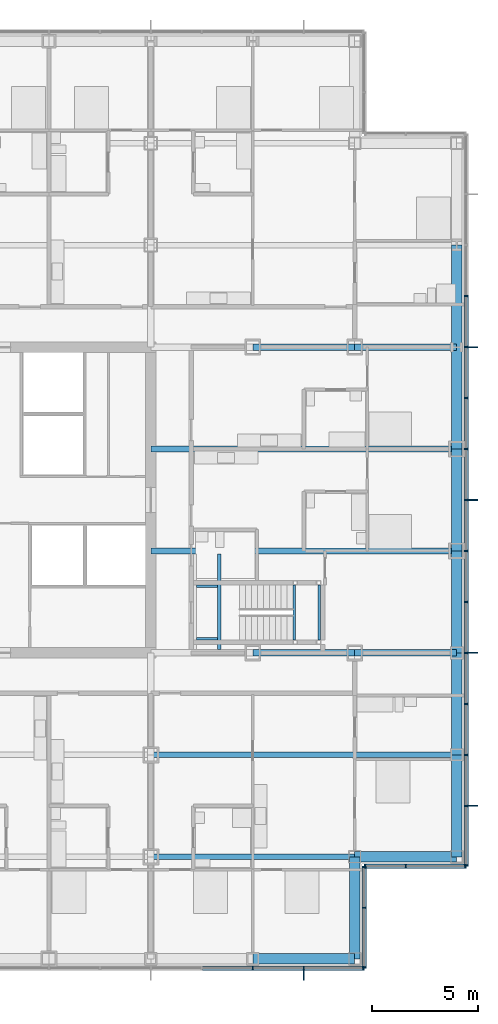
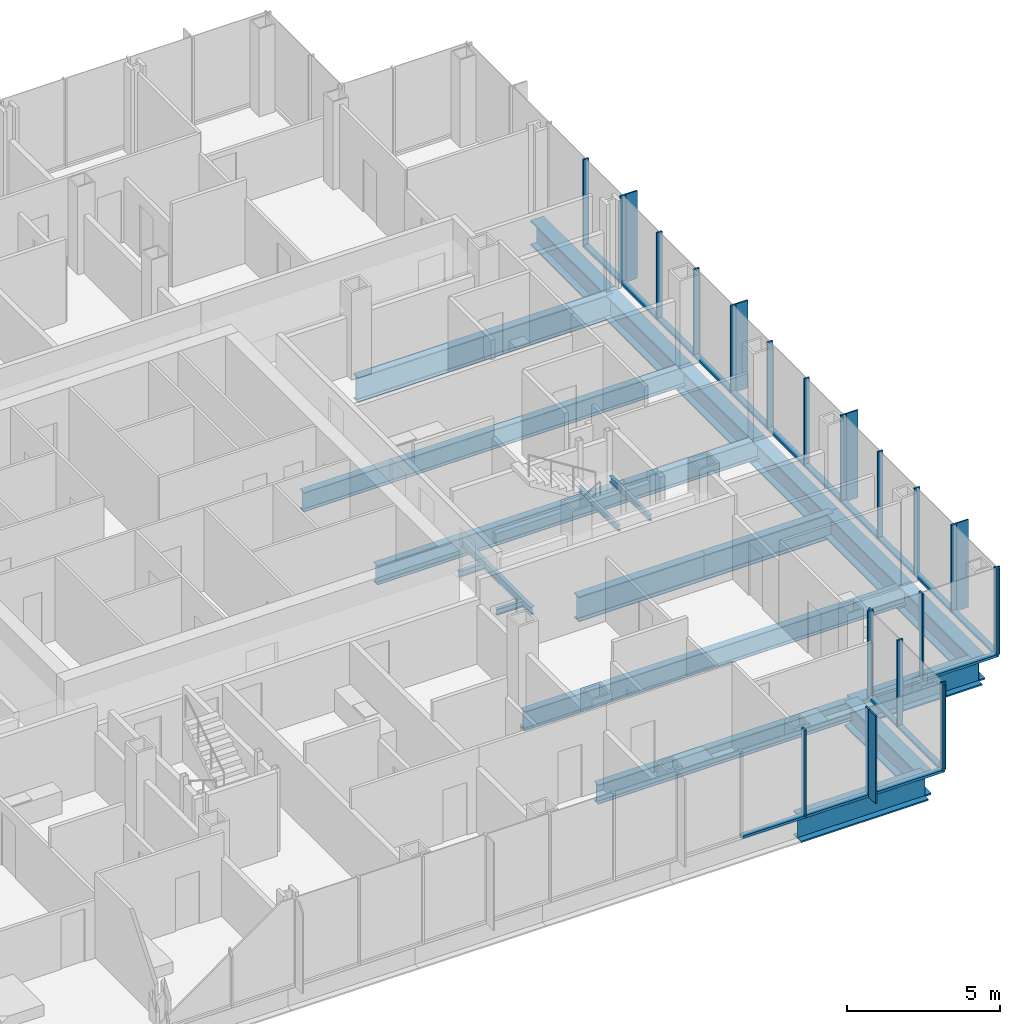
# One storey, part 9 of 21: 44 members, 22 beams, 4 elements without a shape of their own.
"""IFC4 building model written with IfcOpenShell, lengths in metres."""

from ifc_helpers import new_model, si_unit, direction, frame, origin, origin_2d, place, context, subcontext, project, spatial, rectangle, i_section, extrude, material, material_profile, profile_set, type_object, element, aggregate, save


model = new_model("IFC4")

# Units and contexts
model_context = context("Model", 3, precision=1e-05, world=origin(), true_north=direction((0.0, 1.0)))
body_context = subcontext(model_context, "Body", "Model", "MODEL_VIEW")
ifc_project = project(units=[si_unit("LENGTHUNIT", "METRE"), si_unit("AREAUNIT", "SQUARE_METRE"), si_unit("VOLUMEUNIT", "CUBIC_METRE"), si_unit("PLANEANGLEUNIT", "RADIAN"), si_unit("MASSUNIT", "GRAM", prefix="KILO")], contexts=[model_context])

# Site, building, storey
site_placement = place(None, origin())
site = spatial("IfcSite", under=ifc_project, at=site_placement, CompositionType="ELEMENT")
building_placement = place(site_placement, origin())
building = spatial("IfcBuilding", under=site, at=building_placement, Name="Kvirike Care Tower", CompositionType="ELEMENT")
storey_placement = place(building_placement, frame((0.0, 0.0, 48.0)))
storey = spatial("IfcBuildingStorey", under=building, at=storey_placement, Name="L12", CompositionType="ELEMENT", Elevation=48.0)

# Curtain wall, member
ifc_material_1 = material(Name="Anodised aluminium stick system", Category="aluminium")
curtain_wall_type = type_object("IfcCurtainWallType", Name="CW-A STICK CURTAIN WALL", PredefinedType="NOTDEFINED", material=ifc_material_1)
curtain_wall_1_placement = place(storey_placement, origin())
curtain_wall_1 = element("IfcCurtainWall", 1, at=curtain_wall_1_placement, inside=storey, type_object=curtain_wall_type, Name="Curtain wall L12 face 4", PredefinedType="NOTDEFINED")
ifc_material_2 = material(Name="Bronze anodised aluminium fin", Category="aluminium")
ifc_material_profile_1 = material_profile(ifc_material_2, rectangle(XDim=0.050048828125, YDim=0.449951171875, at=origin_2d()), Name="BRONZE FIN 450")
ifc_profile_set_1 = profile_set([ifc_material_profile_1], Name="Bronze anodised aluminium fin")
member_type_1 = type_object("IfcMemberType", Name="BRONZE FIN 450", PredefinedType="USERDEFINED", material=ifc_profile_set_1)
member_1_placement = place(storey_placement, frame((36.0, 13.625, 0.0), z_axis=(0.0, 0.0, 1.0), x_axis=(1.0, 0.0, 0.0)))
member_1 = element("IfcMember", 2, at=member_1_placement, type_object=member_type_1, Name="Bronze fin L12 face 4.14", ObjectType="FIN", PredefinedType="USERDEFINED", context=body_context, shape_type="SweptSolid", body=[
    extrude(rectangle(XDim=0.050048828125, YDim=0.449951171875, at=origin_2d()), origin(), (0.0, 0.0, 1.0), 3.5),
])

# Curtain wall, members
curtain_wall_2_placement = place(storey_placement, origin())
curtain_wall_2 = element("IfcCurtainWall", 3, at=curtain_wall_2_placement, inside=storey, type_object=curtain_wall_type, Name="Curtain wall L12 face 7", PredefinedType="NOTDEFINED")
member_2_placement = place(storey_placement, frame((43.97509765625, 21.60009765625, 0.0), z_axis=(0.0, 0.0, 1.0), x_axis=(0.0, 1.0, 0.0)))
member_2 = element("IfcMember", 4, at=member_2_placement, type_object=member_type_1, Name="Bronze fin L12 face 7.2", ObjectType="FIN", PredefinedType="USERDEFINED", context=body_context, shape_type="SweptSolid", body=[
    extrude(rectangle(XDim=0.050048828125, YDim=0.449951171875, at=origin_2d()), origin(), (0.0, 0.0, 1.0), 3.5),
])
member_3_placement = place(storey_placement, frame((43.97509765625, 28.800048828125, 0.0), z_axis=(0.0, 0.0, 1.0), x_axis=(0.0, 1.0, 0.0)))
member_3 = element("IfcMember", 5, at=member_3_placement, type_object=member_type_1, Name="Bronze fin L12 face 7.5", ObjectType="FIN", PredefinedType="USERDEFINED", context=body_context, shape_type="SweptSolid", body=[
    extrude(rectangle(XDim=0.050048828125, YDim=0.449951171875, at=origin_2d()), origin(), (0.0, 0.0, 1.0), 3.5),
])
member_4_placement = place(storey_placement, frame((43.97509765625, 36.0, 0.0), z_axis=(0.0, 0.0, 1.0), x_axis=(0.0, 1.0, 0.0)))
member_4 = element("IfcMember", 6, at=member_4_placement, type_object=member_type_1, Name="Bronze fin L12 face 7.8", ObjectType="FIN", PredefinedType="USERDEFINED", context=body_context, shape_type="SweptSolid", body=[
    extrude(rectangle(XDim=0.050048828125, YDim=0.449951171875, at=origin_2d()), origin(), (0.0, 0.0, 1.0), 3.5),
])
member_5_placement = place(storey_placement, frame((43.97509765625, 43.199951171875, 0.0), z_axis=(0.0, 0.0, 1.0), x_axis=(0.0, 1.0, 0.0)))
member_5 = element("IfcMember", 7, at=member_5_placement, type_object=member_type_1, Name="Bronze fin L12 face 7.11", ObjectType="FIN", PredefinedType="USERDEFINED", context=body_context, shape_type="SweptSolid", body=[
    extrude(rectangle(XDim=0.050048828125, YDim=0.449951171875, at=origin_2d()), origin(), (0.0, 0.0, 1.0), 3.5),
])

# Member
ifc_material_3 = material(Name="Bronze anodised aluminium mullion", Category="aluminium")
ifc_material_profile_2 = material_profile(ifc_material_3, rectangle(XDim=0.06494140625, YDim=0.199951171875, at=origin_2d()), Name="CW-A MULLION 65x200")
ifc_profile_set_2 = profile_set([ifc_material_profile_2], Name="Bronze anodised aluminium mullion")
member_type_2 = type_object("IfcMemberType", Name="CW-A MULLION 65x200", PredefinedType="MULLION", material=ifc_profile_set_2)
member_6_placement = place(storey_placement, frame((33.60009765625, 13.949951171875, 0.0), z_axis=(0.0, 0.0, 1.0), x_axis=(1.0, 0.0, 0.0)))
member_6 = element("IfcMember", 8, at=member_6_placement, type_object=member_type_2, Name="CW-A mullion L12 face 4.13", PredefinedType="MULLION", context=body_context, shape_type="SweptSolid", body=[
    extrude(rectangle(XDim=0.06494140625, YDim=0.199951171875, at=origin_2d()), origin(), (0.0, 0.0, 1.0), 3.5),
])

member_7_placement = place(storey_placement, frame((36.0, 13.949951171875, 0.0), z_axis=(0.0, 0.0, 1.0), x_axis=(1.0, 0.0, 0.0)))
member_7 = element("IfcMember", 9, at=member_7_placement, type_object=member_type_2, Name="CW-A mullion L12 face 4.14", PredefinedType="MULLION", context=body_context, shape_type="SweptSolid", body=[
    extrude(rectangle(XDim=0.06494140625, YDim=0.199951171875, at=origin_2d()), origin(), (0.0, 0.0, 1.0), 3.5),
])

member_8_placement = place(storey_placement, frame((38.8173828125, 13.949951171875, 0.0), z_axis=(0.0, 0.0, 1.0), x_axis=(1.0, 0.0, 0.0)))
member_8 = element("IfcMember", 10, at=member_8_placement, type_object=member_type_2, Name="CW-A mullion L12 face 4.15", PredefinedType="MULLION", context=body_context, shape_type="SweptSolid", body=[
    extrude(rectangle(XDim=0.06494140625, YDim=0.199951171875, at=origin_2d()), origin(), (0.0, 0.0, 1.0), 3.5),
])

# Curtain wall, members
curtain_wall_3_placement = place(storey_placement, origin())
curtain_wall_3 = element("IfcCurtainWall", 11, at=curtain_wall_3_placement, inside=storey, type_object=curtain_wall_type, Name="Curtain wall L12 face 5", PredefinedType="NOTDEFINED")
member_9_placement = place(storey_placement, frame((38.85009765625, 13.982421875, 0.0), z_axis=(0.0, 0.0, 1.0), x_axis=(0.0, 1.0, 0.0)))
member_9 = element("IfcMember", 12, at=member_9_placement, type_object=member_type_2, Name="CW-A mullion L12 face 5.1", PredefinedType="MULLION", context=body_context, shape_type="SweptSolid", body=[
    extrude(rectangle(XDim=0.06494140625, YDim=0.199951171875, at=origin_2d()), origin(), (0.0, 0.0, 1.0), 3.5),
])
member_10_placement = place(storey_placement, frame((38.85009765625, 16.800048828125, 0.0), z_axis=(0.0, 0.0, 1.0), x_axis=(0.0, 1.0, 0.0)))
member_10 = element("IfcMember", 13, at=member_10_placement, type_object=member_type_2, Name="CW-A mullion L12 face 5.2", PredefinedType="MULLION", context=body_context, shape_type="SweptSolid", body=[
    extrude(rectangle(XDim=0.06494140625, YDim=0.199951171875, at=origin_2d()), origin(), (0.0, 0.0, 1.0), 3.5),
])
member_11_placement = place(storey_placement, frame((38.85009765625, 18.717529296875, 0.0), z_axis=(0.0, 0.0, 1.0), x_axis=(0.0, 1.0, 0.0)))
member_11 = element("IfcMember", 14, at=member_11_placement, type_object=member_type_2, Name="CW-A mullion L12 face 5.3", PredefinedType="MULLION", context=body_context, shape_type="SweptSolid", body=[
    extrude(rectangle(XDim=0.06494140625, YDim=0.199951171875, at=origin_2d()), origin(), (0.0, 0.0, 1.0), 3.5),
])

curtain_wall_4_placement = place(storey_placement, origin())
curtain_wall_4 = element("IfcCurtainWall", 15, at=curtain_wall_4_placement, inside=storey, type_object=curtain_wall_type, Name="Curtain wall L12 face 6", PredefinedType="NOTDEFINED")
member_12_placement = place(storey_placement, frame((38.882568359375, 18.75, 0.0), z_axis=(0.0, 0.0, 1.0), x_axis=(1.0, 0.0, 0.0)))
member_12 = element("IfcMember", 16, at=member_12_placement, type_object=member_type_2, Name="CW-A mullion L12 face 6.1", PredefinedType="MULLION", context=body_context, shape_type="SweptSolid", body=[
    extrude(rectangle(XDim=0.06494140625, YDim=0.199951171875, at=origin_2d()), origin(), (0.0, 0.0, 1.0), 3.5),
])
member_13_placement = place(storey_placement, frame((40.800048828125, 18.75, 0.0), z_axis=(0.0, 0.0, 1.0), x_axis=(1.0, 0.0, 0.0)))
member_13 = element("IfcMember", 17, at=member_13_placement, type_object=member_type_2, Name="CW-A mullion L12 face 6.2", PredefinedType="MULLION", context=body_context, shape_type="SweptSolid", body=[
    extrude(rectangle(XDim=0.06494140625, YDim=0.199951171875, at=origin_2d()), origin(), (0.0, 0.0, 1.0), 3.5),
])
member_14_placement = place(storey_placement, frame((43.617431640625, 18.75, 0.0), z_axis=(0.0, 0.0, 1.0), x_axis=(1.0, 0.0, 0.0)))
member_14 = element("IfcMember", 18, at=member_14_placement, type_object=member_type_2, Name="CW-A mullion L12 face 6.3", PredefinedType="MULLION", context=body_context, shape_type="SweptSolid", body=[
    extrude(rectangle(XDim=0.06494140625, YDim=0.199951171875, at=origin_2d()), origin(), (0.0, 0.0, 1.0), 3.5),
])

# Member
member_15_placement = place(storey_placement, frame((43.64990234375, 18.782470703125, 0.0), z_axis=(0.0, 0.0, 1.0), x_axis=(0.0, 1.0, 0.0)))
member_15 = element("IfcMember", 19, at=member_15_placement, type_object=member_type_2, Name="CW-A mullion L12 face 7.1", PredefinedType="MULLION", context=body_context, shape_type="SweptSolid", body=[
    extrude(rectangle(XDim=0.06494140625, YDim=0.199951171875, at=origin_2d()), origin(), (0.0, 0.0, 1.0), 3.5),
])

member_16_placement = place(storey_placement, frame((43.64990234375, 21.60009765625, 0.0), z_axis=(0.0, 0.0, 1.0), x_axis=(0.0, 1.0, 0.0)))
member_16 = element("IfcMember", 20, at=member_16_placement, type_object=member_type_2, Name="CW-A mullion L12 face 7.2", PredefinedType="MULLION", context=body_context, shape_type="SweptSolid", body=[
    extrude(rectangle(XDim=0.06494140625, YDim=0.199951171875, at=origin_2d()), origin(), (0.0, 0.0, 1.0), 3.5),
])

member_17_placement = place(storey_placement, frame((43.64990234375, 24.0, 0.0), z_axis=(0.0, 0.0, 1.0), x_axis=(0.0, 1.0, 0.0)))
member_17 = element("IfcMember", 21, at=member_17_placement, type_object=member_type_2, Name="CW-A mullion L12 face 7.3", PredefinedType="MULLION", context=body_context, shape_type="SweptSolid", body=[
    extrude(rectangle(XDim=0.06494140625, YDim=0.199951171875, at=origin_2d()), origin(), (0.0, 0.0, 1.0), 3.5),
])

member_18_placement = place(storey_placement, frame((43.64990234375, 26.39990234375, 0.0), z_axis=(0.0, 0.0, 1.0), x_axis=(0.0, 1.0, 0.0)))
member_18 = element("IfcMember", 22, at=member_18_placement, type_object=member_type_2, Name="CW-A mullion L12 face 7.4", PredefinedType="MULLION", context=body_context, shape_type="SweptSolid", body=[
    extrude(rectangle(XDim=0.06494140625, YDim=0.199951171875, at=origin_2d()), origin(), (0.0, 0.0, 1.0), 3.5),
])

member_19_placement = place(storey_placement, frame((43.64990234375, 28.800048828125, 0.0), z_axis=(0.0, 0.0, 1.0), x_axis=(0.0, 1.0, 0.0)))
member_19 = element("IfcMember", 23, at=member_19_placement, type_object=member_type_2, Name="CW-A mullion L12 face 7.5", PredefinedType="MULLION", context=body_context, shape_type="SweptSolid", body=[
    extrude(rectangle(XDim=0.06494140625, YDim=0.199951171875, at=origin_2d()), origin(), (0.0, 0.0, 1.0), 3.5),
])

member_20_placement = place(storey_placement, frame((43.64990234375, 31.199951171875, 0.0), z_axis=(0.0, 0.0, 1.0), x_axis=(0.0, 1.0, 0.0)))
member_20 = element("IfcMember", 24, at=member_20_placement, type_object=member_type_2, Name="CW-A mullion L12 face 7.6", PredefinedType="MULLION", context=body_context, shape_type="SweptSolid", body=[
    extrude(rectangle(XDim=0.06494140625, YDim=0.199951171875, at=origin_2d()), origin(), (0.0, 0.0, 1.0), 3.5),
])

member_21_placement = place(storey_placement, frame((43.64990234375, 33.60009765625, 0.0), z_axis=(0.0, 0.0, 1.0), x_axis=(0.0, 1.0, 0.0)))
member_21 = element("IfcMember", 25, at=member_21_placement, type_object=member_type_2, Name="CW-A mullion L12 face 7.7", PredefinedType="MULLION", context=body_context, shape_type="SweptSolid", body=[
    extrude(rectangle(XDim=0.06494140625, YDim=0.199951171875, at=origin_2d()), origin(), (0.0, 0.0, 1.0), 3.5),
])

member_22_placement = place(storey_placement, frame((43.64990234375, 36.0, 0.0), z_axis=(0.0, 0.0, 1.0), x_axis=(0.0, 1.0, 0.0)))
member_22 = element("IfcMember", 26, at=member_22_placement, type_object=member_type_2, Name="CW-A mullion L12 face 7.8", PredefinedType="MULLION", context=body_context, shape_type="SweptSolid", body=[
    extrude(rectangle(XDim=0.06494140625, YDim=0.199951171875, at=origin_2d()), origin(), (0.0, 0.0, 1.0), 3.5),
])

member_23_placement = place(storey_placement, frame((43.64990234375, 38.39990234375, 0.0), z_axis=(0.0, 0.0, 1.0), x_axis=(0.0, 1.0, 0.0)))
member_23 = element("IfcMember", 27, at=member_23_placement, type_object=member_type_2, Name="CW-A mullion L12 face 7.9", PredefinedType="MULLION", context=body_context, shape_type="SweptSolid", body=[
    extrude(rectangle(XDim=0.06494140625, YDim=0.199951171875, at=origin_2d()), origin(), (0.0, 0.0, 1.0), 3.5),
])

member_24_placement = place(storey_placement, frame((43.64990234375, 40.800048828125, 0.0), z_axis=(0.0, 0.0, 1.0), x_axis=(0.0, 1.0, 0.0)))
member_24 = element("IfcMember", 28, at=member_24_placement, type_object=member_type_2, Name="CW-A mullion L12 face 7.10", PredefinedType="MULLION", context=body_context, shape_type="SweptSolid", body=[
    extrude(rectangle(XDim=0.06494140625, YDim=0.199951171875, at=origin_2d()), origin(), (0.0, 0.0, 1.0), 3.5),
])

member_25_placement = place(storey_placement, frame((43.64990234375, 43.199951171875, 0.0), z_axis=(0.0, 0.0, 1.0), x_axis=(0.0, 1.0, 0.0)))
member_25 = element("IfcMember", 29, at=member_25_placement, type_object=member_type_2, Name="CW-A mullion L12 face 7.11", PredefinedType="MULLION", context=body_context, shape_type="SweptSolid", body=[
    extrude(rectangle(XDim=0.06494140625, YDim=0.199951171875, at=origin_2d()), origin(), (0.0, 0.0, 1.0), 3.5),
])

member_26_placement = place(storey_placement, frame((43.64990234375, 45.60009765625, 0.0), z_axis=(0.0, 0.0, 1.0), x_axis=(0.0, 1.0, 0.0)))
member_26 = element("IfcMember", 30, at=member_26_placement, type_object=member_type_2, Name="CW-A mullion L12 face 7.12", PredefinedType="MULLION", context=body_context, shape_type="SweptSolid", body=[
    extrude(rectangle(XDim=0.06494140625, YDim=0.199951171875, at=origin_2d()), origin(), (0.0, 0.0, 1.0), 3.5),
])

ifc_material_4 = material(Name="Bronze anodised aluminium transom", Category="aluminium")
ifc_material_profile_3 = material_profile(ifc_material_4, rectangle(XDim=0.199951171875, YDim=0.10009765625, at=origin_2d()), Name="CW-A TRANSOM 200x100")
ifc_profile_set_3 = profile_set([ifc_material_profile_3], Name="Bronze anodised aluminium transom")
member_type_3 = type_object("IfcMemberType", Name="CW-A TRANSOM 200x100", PredefinedType="USERDEFINED", material=ifc_profile_set_3)
member_27_placement = place(storey_placement, frame((31.232421875, 13.949951171875, 0.050048828125), z_axis=(1.0, 0.0, 0.0), x_axis=(0.0, 1.0, 0.0)))
member_27 = element("IfcMember", 31, at=member_27_placement, type_object=member_type_3, Name="CW-A sill transom L12 face 4.12", ObjectType="TRANSOM", PredefinedType="USERDEFINED", context=body_context, shape_type="SweptSolid", body=[
    extrude(rectangle(XDim=0.199951171875, YDim=0.10009765625, at=origin_2d()), origin(), (0.0, 0.0, 1.0), 2.3349609375),
])

member_28_placement = place(storey_placement, frame((33.632568359375, 13.949951171875, 0.050048828125), z_axis=(1.0, 0.0, 0.0), x_axis=(0.0, 1.0, 0.0)))
member_28 = element("IfcMember", 32, at=member_28_placement, type_object=member_type_3, Name="CW-A sill transom L12 face 4.13", ObjectType="TRANSOM", PredefinedType="USERDEFINED", context=body_context, shape_type="SweptSolid", body=[
    extrude(rectangle(XDim=0.199951171875, YDim=0.10009765625, at=origin_2d()), origin(), (0.0, 0.0, 1.0), 2.3349609375),
])

member_29_placement = place(storey_placement, frame((36.032470703125, 13.949951171875, 0.050048828125), z_axis=(1.0, 0.0, 0.0), x_axis=(0.0, 1.0, 0.0)))
member_29 = element("IfcMember", 33, at=member_29_placement, type_object=member_type_3, Name="CW-A sill transom L12 face 4.14", ObjectType="TRANSOM", PredefinedType="USERDEFINED", context=body_context, shape_type="SweptSolid", body=[
    extrude(rectangle(XDim=0.199951171875, YDim=0.10009765625, at=origin_2d()), origin(), (0.0, 0.0, 1.0), 2.75244140625),
])

aggregate(curtain_wall_1, [member_6, member_7, member_1, member_8, member_27, member_28, member_29])

member_30_placement = place(storey_placement, frame((38.85009765625, 14.014892578125, 0.050048828125), z_axis=(0.0, 1.0, 0.0), x_axis=(-1.0, 0.0, 0.0)))
member_30 = element("IfcMember", 34, at=member_30_placement, type_object=member_type_3, Name="CW-A sill transom L12 face 5.1", ObjectType="TRANSOM", PredefinedType="USERDEFINED", context=body_context, shape_type="SweptSolid", body=[
    extrude(rectangle(XDim=0.199951171875, YDim=0.10009765625, at=origin_2d()), origin(), (0.0, 0.0, 1.0), 2.752685546875),
])

member_31_placement = place(storey_placement, frame((38.85009765625, 16.83251953125, 0.050048828125), z_axis=(0.0, 1.0, 0.0), x_axis=(-1.0, 0.0, 0.0)))
member_31 = element("IfcMember", 35, at=member_31_placement, type_object=member_type_3, Name="CW-A sill transom L12 face 5.2", ObjectType="TRANSOM", PredefinedType="USERDEFINED", context=body_context, shape_type="SweptSolid", body=[
    extrude(rectangle(XDim=0.199951171875, YDim=0.10009765625, at=origin_2d()), origin(), (0.0, 0.0, 1.0), 1.8525390625),
])

aggregate(curtain_wall_3, [member_9, member_10, member_11, member_30, member_31])

member_32_placement = place(storey_placement, frame((38.9150390625, 18.75, 0.050048828125), z_axis=(1.0, 0.0, 0.0), x_axis=(0.0, 1.0, 0.0)))
member_32 = element("IfcMember", 36, at=member_32_placement, type_object=member_type_3, Name="CW-A sill transom L12 face 6.1", ObjectType="TRANSOM", PredefinedType="USERDEFINED", context=body_context, shape_type="SweptSolid", body=[
    extrude(rectangle(XDim=0.199951171875, YDim=0.10009765625, at=origin_2d()), origin(), (0.0, 0.0, 1.0), 1.8525390625),
])

member_33_placement = place(storey_placement, frame((40.83251953125, 18.75, 0.050048828125), z_axis=(1.0, 0.0, 0.0), x_axis=(0.0, 1.0, 0.0)))
member_33 = element("IfcMember", 37, at=member_33_placement, type_object=member_type_3, Name="CW-A sill transom L12 face 6.2", ObjectType="TRANSOM", PredefinedType="USERDEFINED", context=body_context, shape_type="SweptSolid", body=[
    extrude(rectangle(XDim=0.199951171875, YDim=0.10009765625, at=origin_2d()), origin(), (0.0, 0.0, 1.0), 2.75244140625),
])

aggregate(curtain_wall_4, [member_12, member_13, member_14, member_32, member_33])

member_34_placement = place(storey_placement, frame((43.64990234375, 18.81494140625, 0.050048828125), z_axis=(0.0, 1.0, 0.0), x_axis=(-1.0, 0.0, 0.0)))
member_34 = element("IfcMember", 38, at=member_34_placement, type_object=member_type_3, Name="CW-A sill transom L12 face 7.1", ObjectType="TRANSOM", PredefinedType="USERDEFINED", context=body_context, shape_type="SweptSolid", body=[
    extrude(rectangle(XDim=0.199951171875, YDim=0.10009765625, at=origin_2d()), origin(), (0.0, 0.0, 1.0), 2.75244140625),
])

member_35_placement = place(storey_placement, frame((43.64990234375, 21.632568359375, 0.050048828125), z_axis=(0.0, 1.0, 0.0), x_axis=(-1.0, 0.0, 0.0)))
member_35 = element("IfcMember", 39, at=member_35_placement, type_object=member_type_3, Name="CW-A sill transom L12 face 7.2", ObjectType="TRANSOM", PredefinedType="USERDEFINED", context=body_context, shape_type="SweptSolid", body=[
    extrude(rectangle(XDim=0.199951171875, YDim=0.10009765625, at=origin_2d()), origin(), (0.0, 0.0, 1.0), 2.3349609375),
])

member_36_placement = place(storey_placement, frame((43.64990234375, 24.032470703125, 0.050048828125), z_axis=(0.0, 1.0, 0.0), x_axis=(-1.0, 0.0, 0.0)))
member_36 = element("IfcMember", 40, at=member_36_placement, type_object=member_type_3, Name="CW-A sill transom L12 face 7.3", ObjectType="TRANSOM", PredefinedType="USERDEFINED", context=body_context, shape_type="SweptSolid", body=[
    extrude(rectangle(XDim=0.199951171875, YDim=0.10009765625, at=origin_2d()), origin(), (0.0, 0.0, 1.0), 2.3349609375),
])

member_37_placement = place(storey_placement, frame((43.64990234375, 26.4326171875, 0.050048828125), z_axis=(0.0, 1.0, 0.0), x_axis=(-1.0, 0.0, 0.0)))
member_37 = element("IfcMember", 41, at=member_37_placement, type_object=member_type_3, Name="CW-A sill transom L12 face 7.4", ObjectType="TRANSOM", PredefinedType="USERDEFINED", context=body_context, shape_type="SweptSolid", body=[
    extrude(rectangle(XDim=0.199951171875, YDim=0.10009765625, at=origin_2d()), origin(), (0.0, 0.0, 1.0), 2.3349609375),
])

member_38_placement = place(storey_placement, frame((43.64990234375, 28.83251953125, 0.050048828125), z_axis=(0.0, 1.0, 0.0), x_axis=(-1.0, 0.0, 0.0)))
member_38 = element("IfcMember", 42, at=member_38_placement, type_object=member_type_3, Name="CW-A sill transom L12 face 7.5", ObjectType="TRANSOM", PredefinedType="USERDEFINED", context=body_context, shape_type="SweptSolid", body=[
    extrude(rectangle(XDim=0.199951171875, YDim=0.10009765625, at=origin_2d()), origin(), (0.0, 0.0, 1.0), 2.3349609375),
])

member_39_placement = place(storey_placement, frame((43.64990234375, 31.232421875, 0.050048828125), z_axis=(0.0, 1.0, 0.0), x_axis=(-1.0, 0.0, 0.0)))
member_39 = element("IfcMember", 43, at=member_39_placement, type_object=member_type_3, Name="CW-A sill transom L12 face 7.6", ObjectType="TRANSOM", PredefinedType="USERDEFINED", context=body_context, shape_type="SweptSolid", body=[
    extrude(rectangle(XDim=0.199951171875, YDim=0.10009765625, at=origin_2d()), origin(), (0.0, 0.0, 1.0), 2.3349609375),
])

member_40_placement = place(storey_placement, frame((43.64990234375, 33.632568359375, 0.050048828125), z_axis=(0.0, 1.0, 0.0), x_axis=(-1.0, 0.0, 0.0)))
member_40 = element("IfcMember", 44, at=member_40_placement, type_object=member_type_3, Name="CW-A sill transom L12 face 7.7", ObjectType="TRANSOM", PredefinedType="USERDEFINED", context=body_context, shape_type="SweptSolid", body=[
    extrude(rectangle(XDim=0.199951171875, YDim=0.10009765625, at=origin_2d()), origin(), (0.0, 0.0, 1.0), 2.3349609375),
])

member_41_placement = place(storey_placement, frame((43.64990234375, 36.032470703125, 0.050048828125), z_axis=(0.0, 1.0, 0.0), x_axis=(-1.0, 0.0, 0.0)))
member_41 = element("IfcMember", 45, at=member_41_placement, type_object=member_type_3, Name="CW-A sill transom L12 face 7.8", ObjectType="TRANSOM", PredefinedType="USERDEFINED", context=body_context, shape_type="SweptSolid", body=[
    extrude(rectangle(XDim=0.199951171875, YDim=0.10009765625, at=origin_2d()), origin(), (0.0, 0.0, 1.0), 2.3349609375),
])

member_42_placement = place(storey_placement, frame((43.64990234375, 38.4326171875, 0.050048828125), z_axis=(0.0, 1.0, 0.0), x_axis=(-1.0, 0.0, 0.0)))
member_42 = element("IfcMember", 46, at=member_42_placement, type_object=member_type_3, Name="CW-A sill transom L12 face 7.9", ObjectType="TRANSOM", PredefinedType="USERDEFINED", context=body_context, shape_type="SweptSolid", body=[
    extrude(rectangle(XDim=0.199951171875, YDim=0.10009765625, at=origin_2d()), origin(), (0.0, 0.0, 1.0), 2.3349609375),
])

member_43_placement = place(storey_placement, frame((43.64990234375, 40.83251953125, 0.050048828125), z_axis=(0.0, 1.0, 0.0), x_axis=(-1.0, 0.0, 0.0)))
member_43 = element("IfcMember", 47, at=member_43_placement, type_object=member_type_3, Name="CW-A sill transom L12 face 7.10", ObjectType="TRANSOM", PredefinedType="USERDEFINED", context=body_context, shape_type="SweptSolid", body=[
    extrude(rectangle(XDim=0.199951171875, YDim=0.10009765625, at=origin_2d()), origin(), (0.0, 0.0, 1.0), 2.3349609375),
])

member_44_placement = place(storey_placement, frame((43.64990234375, 43.232421875, 0.050048828125), z_axis=(0.0, 1.0, 0.0), x_axis=(-1.0, 0.0, 0.0)))
member_44 = element("IfcMember", 48, at=member_44_placement, type_object=member_type_3, Name="CW-A sill transom L12 face 7.11", ObjectType="TRANSOM", PredefinedType="USERDEFINED", context=body_context, shape_type="SweptSolid", body=[
    extrude(rectangle(XDim=0.199951171875, YDim=0.10009765625, at=origin_2d()), origin(), (0.0, 0.0, 1.0), 2.3349609375),
])

aggregate(curtain_wall_2, [member_15, member_16, member_2, member_17, member_18, member_19, member_3, member_20, member_21, member_22, member_4, member_23, member_24, member_25, member_5, member_26, member_34, member_35, member_36, member_37, member_38, member_39, member_40, member_41, member_42, member_43, member_44])

# Beams
ifc_material_5 = material(Name="Steel S355", Category="steel")
ifc_material_profile_4 = material_profile(ifc_material_5, i_section(OverallWidth=0.26806640625, OverallDepth=0.77001953125, WebThickness=0.015625, FlangeThickness=0.025390625, FilletRadius=0.01708984375, at=origin_2d()), Name="IPE 750x196")
ifc_profile_set_4 = profile_set([ifc_material_profile_4], Name="Steel S355")
beam_type_1 = type_object("IfcBeamType", Name="FLOOR BEAM IPE 750x196", PredefinedType="BEAM", material=ifc_profile_set_4)
beam_1_placement = place(storey_placement, frame((28.800048828125, 19.199951171875, -0.554931640625), z_axis=(1.0, 0.0, 0.0), x_axis=(0.0, 1.0, 0.0)))
element("IfcBeam", 49, at=beam_1_placement, inside=storey, type_object=beam_type_1, Name="Floor Beam E9-E11 L12", PredefinedType="BEAM", context=body_context, shape_type="SweptSolid", body=[
    extrude(i_section(OverallWidth=0.26806640625, OverallDepth=0.77001953125, WebThickness=0.015625, FlangeThickness=0.025390625, FilletRadius=0.01708984375, at=origin_2d()), origin(), (0.0, 0.0, 1.0), 9.599853515625),
])
for number, where, z_axis, x_axis, name in (
    (50, (28.800048828125, 24.0, -0.554931640625), (1.0, 0.0, 0.0), (0.0, 1.0, 0.0), "Floor Beam F9-F12 L12"),
    (51, (28.800048828125, 33.60009765625, -0.554931640625), (1.0, 0.0, 0.0), (0.0, 1.0, 0.0), "Floor Beam H9-H12 L12"),
    (52, (28.800048828125, 38.39990234375, -0.554931640625), (1.0, 0.0, 0.0), (0.0, 1.0, 0.0), "Floor Beam J9-J12 L12"),
):
    element("IfcBeam", number, at=place(storey_placement, frame(where, z_axis=z_axis, x_axis=x_axis)), inside=storey, type_object=beam_type_1, Name=name, PredefinedType="BEAM", context=body_context, shape_type="SweptSolid", body=[
        extrude(i_section(OverallWidth=0.26806640625, OverallDepth=0.77001953125, WebThickness=0.015625, FlangeThickness=0.025390625, FilletRadius=0.01708984375, at=origin_2d()), origin(), (0.0, 0.0, 1.0), 14.39990234375),
    ])
ifc_material_6 = material(Name="Steel S355", Category="steel")
ifc_material_profile_5 = material_profile(ifc_material_6, i_section(OverallWidth=0.300048828125, OverallDepth=1.0, WebThickness=0.01904296875, FlangeThickness=0.035888671875, FilletRadius=0.030029296875, at=origin_2d()), Name="HE 1000 B")
ifc_profile_set_5 = profile_set([ifc_material_profile_5], Name="Steel S355")
beam_type_2 = type_object("IfcBeamType", Name="FRAME BEAM HE 1000 B", PredefinedType="BEAM", material=ifc_profile_set_5)
beam_2_placement = place(storey_placement, frame((33.60009765625, 28.800048828125, -0.669921875), z_axis=(1.0, 0.0, 0.0), x_axis=(0.0, 1.0, 0.0)))
element("IfcBeam", 53, at=beam_2_placement, inside=storey, type_object=beam_type_2, Name="Frame Beam G10-G11 L12", PredefinedType="BEAM", context=body_context, shape_type="SweptSolid", body=[
    extrude(i_section(OverallWidth=0.300048828125, OverallDepth=1.0, WebThickness=0.01904296875, FlangeThickness=0.035888671875, FilletRadius=0.030029296875, at=origin_2d()), origin(), (0.0, 0.0, 1.0), 4.7998046875),
])
beam_3_placement = place(storey_placement, frame((38.39990234375, 28.800048828125, -0.669921875), z_axis=(1.0, 0.0, 0.0), x_axis=(0.0, 1.0, 0.0)))
element("IfcBeam", 54, at=beam_3_placement, inside=storey, type_object=beam_type_2, Name="Frame Beam G11-G12 L12", PredefinedType="BEAM", context=body_context, shape_type="SweptSolid", body=[
    extrude(i_section(OverallWidth=0.300048828125, OverallDepth=1.0, WebThickness=0.01904296875, FlangeThickness=0.035888671875, FilletRadius=0.030029296875, at=origin_2d()), origin(), (0.0, 0.0, 1.0), 4.800048828125),
])
beam_4_placement = place(storey_placement, frame((33.60009765625, 43.199951171875, -0.669921875), z_axis=(1.0, 0.0, 0.0), x_axis=(0.0, 1.0, 0.0)))
element("IfcBeam", 55, at=beam_4_placement, inside=storey, type_object=beam_type_2, Name="Frame Beam K10-K11 L12", PredefinedType="BEAM", context=body_context, shape_type="SweptSolid", body=[
    extrude(i_section(OverallWidth=0.300048828125, OverallDepth=1.0, WebThickness=0.01904296875, FlangeThickness=0.035888671875, FilletRadius=0.030029296875, at=origin_2d()), origin(), (0.0, 0.0, 1.0), 4.7998046875),
])
beam_5_placement = place(storey_placement, frame((38.39990234375, 43.199951171875, -0.669921875), z_axis=(1.0, 0.0, 0.0), x_axis=(0.0, 1.0, 0.0)))
element("IfcBeam", 56, at=beam_5_placement, inside=storey, type_object=beam_type_2, Name="Frame Beam K11-K12 L12", PredefinedType="BEAM", context=body_context, shape_type="SweptSolid", body=[
    extrude(i_section(OverallWidth=0.300048828125, OverallDepth=1.0, WebThickness=0.01904296875, FlangeThickness=0.035888671875, FilletRadius=0.030029296875, at=origin_2d()), origin(), (0.0, 0.0, 1.0), 4.800048828125),
])
ifc_material_7 = material(Name="Steel S355", Category="steel")
ifc_material_profile_6 = material_profile(ifc_material_7, i_section(OverallWidth=0.5, OverallDepth=1.0, WebThickness=0.030029296875, FlangeThickness=0.06005859375, at=origin_2d()), Name="PG 1000x500x30x60")
ifc_profile_set_6 = profile_set([ifc_material_profile_6], Name="Steel S355")
beam_type_3 = type_object("IfcBeamType", Name="SPANDREL PG 1000x500x30x60", PredefinedType="SPANDREL", material=ifc_profile_set_6)
beam_6_placement = place(storey_placement, frame((33.60009765625, 14.39990234375, -0.669921875), z_axis=(1.0, 0.0, 0.0), x_axis=(0.0, 1.0, 0.0)))
element("IfcBeam", 57, at=beam_6_placement, inside=storey, type_object=beam_type_3, Name="Spandrel D10-D11 L12", PredefinedType="SPANDREL", context=body_context, shape_type="SweptSolid", body=[
    extrude(i_section(OverallWidth=0.5, OverallDepth=1.0, WebThickness=0.030029296875, FlangeThickness=0.06005859375, at=origin_2d()), origin(), (0.0, 0.0, 1.0), 4.7998046875),
])
for number, where, z_axis, x_axis, name in (
    (58, (38.39990234375, 19.199951171875, -0.669921875), (1.0, 0.0, 0.0), (0.0, 1.0, 0.0), "Spandrel E11-E12 L12"),
    (59, (38.39990234375, 14.39990234375, -0.669921875), (0.0, 1.0, 0.0), (-1.0, 0.0, 0.0), "Spandrel D11-E11 L12"),
    (60, (43.199951171875, 19.199951171875, -0.669921875), (0.0, 1.0, 0.0), (-1.0, 0.0, 0.0), "Spandrel E12-F12 L12"),
    (61, (43.199951171875, 24.0, -0.669921875), (0.0, 1.0, 0.0), (-1.0, 0.0, 0.0), "Spandrel F12-G12 L12"),
    (62, (43.199951171875, 28.800048828125, -0.669921875), (0.0, 1.0, 0.0), (-1.0, 0.0, 0.0), "Spandrel G12-H12 L12"),
):
    element("IfcBeam", number, at=place(storey_placement, frame(where, z_axis=z_axis, x_axis=x_axis)), inside=storey, type_object=beam_type_3, Name=name, PredefinedType="SPANDREL", context=body_context, shape_type="SweptSolid", body=[
        extrude(i_section(OverallWidth=0.5, OverallDepth=1.0, WebThickness=0.030029296875, FlangeThickness=0.06005859375, at=origin_2d()), origin(), (0.0, 0.0, 1.0), 4.800048828125),
    ])
beam_7_placement = place(storey_placement, frame((43.199951171875, 33.60009765625, -0.669921875), z_axis=(0.0, 1.0, 0.0), x_axis=(-1.0, 0.0, 0.0)))
element("IfcBeam", 63, at=beam_7_placement, inside=storey, type_object=beam_type_3, Name="Spandrel H12-J12 L12", PredefinedType="SPANDREL", context=body_context, shape_type="SweptSolid", body=[
    extrude(i_section(OverallWidth=0.5, OverallDepth=1.0, WebThickness=0.030029296875, FlangeThickness=0.06005859375, at=origin_2d()), origin(), (0.0, 0.0, 1.0), 4.7998046875),
])
for number, where, z_axis, x_axis, name in (
    (64, (43.199951171875, 38.39990234375, -0.669921875), (0.0, 1.0, 0.0), (-1.0, 0.0, 0.0), "Spandrel J12-K12 L12"),
    (65, (43.199951171875, 43.199951171875, -0.669921875), (0.0, 1.0, 0.0), (-1.0, 0.0, 0.0), "Spandrel K12-L12 L12"),
):
    element("IfcBeam", number, at=place(storey_placement, frame(where, z_axis=z_axis, x_axis=x_axis)), inside=storey, type_object=beam_type_3, Name=name, PredefinedType="SPANDREL", context=body_context, shape_type="SweptSolid", body=[
        extrude(i_section(OverallWidth=0.5, OverallDepth=1.0, WebThickness=0.030029296875, FlangeThickness=0.06005859375, at=origin_2d()), origin(), (0.0, 0.0, 1.0), 4.800048828125),
    ])
ifc_material_8 = material(Name="Steel S355", Category="steel")
ifc_material_profile_7 = material_profile(ifc_material_8, i_section(OverallWidth=0.1201171875, OverallDepth=0.239990234375, WebThickness=0.006103515625, FlangeThickness=0.009765625, FilletRadius=0.014892578125, at=origin_2d()), Name="IPE 240")
ifc_profile_set_7 = profile_set([ifc_material_profile_7], Name="Steel S355")
beam_type_4 = type_object("IfcBeamType", Name="STAIR LANDING BEAM IPE 240", PredefinedType="BEAM", material=ifc_profile_set_7)
for number, where, z_axis, x_axis, name in (
    (66, (36.739990234375, 29.39990234375, 1.429931640625), (0.0, 1.0, 0.0), (-1.0, 0.0, 0.0), "Stair 2 landing beam back L12"),
    (67, (35.56005859375, 29.39990234375, 1.429931640625), (0.0, 1.0, 0.0), (-1.0, 0.0, 0.0), "Stair 2 landing beam front L12"),
):
    element("IfcBeam", number, at=place(storey_placement, frame(where, z_axis=z_axis, x_axis=x_axis)), inside=storey, type_object=beam_type_4, Name=name, PredefinedType="BEAM", context=body_context, shape_type="SweptSolid", body=[
        extrude(i_section(OverallWidth=0.1201171875, OverallDepth=0.239990234375, WebThickness=0.006103515625, FlangeThickness=0.009765625, FilletRadius=0.014892578125, at=origin_2d()), origin(), (0.0, 0.0, 1.0), 2.60009765625),
    ])
for number, where, z_axis, x_axis, name in (
    (68, (31.949951171875, 29.4599609375, -0.320068359375), (-1.0, 0.0, 0.0), (0.0, -1.0, 0.0), "Stair 2 landing edge beam 1 L12"),
    (69, (31.949951171875, 31.93994140625, -0.320068359375), (-1.0, 0.0, 0.0), (0.0, -1.0, 0.0), "Stair 2 landing edge beam 2 L12"),
):
    element("IfcBeam", number, at=place(storey_placement, frame(where, z_axis=z_axis, x_axis=x_axis)), inside=storey, type_object=beam_type_4, Name=name, PredefinedType="BEAM", context=body_context, shape_type="SweptSolid", body=[
        extrude(i_section(OverallWidth=0.1201171875, OverallDepth=0.239990234375, WebThickness=0.006103515625, FlangeThickness=0.009765625, FilletRadius=0.014892578125, at=origin_2d()), origin(), (0.0, 0.0, 1.0), 1.0),
    ])
ifc_material_9 = material(Name="Steel S355", Category="steel")
ifc_material_profile_8 = material_profile(ifc_material_9, i_section(OverallWidth=0.14990234375, OverallDepth=0.300048828125, WebThickness=0.007080078125, FlangeThickness=0.0107421875, FilletRadius=0.014892578125, at=origin_2d()), Name="IPE 300")
ifc_profile_set_8 = profile_set([ifc_material_profile_8], Name="Steel S355")
beam_type_5 = type_object("IfcBeamType", Name="STAIR TRIMMER IPE 300", PredefinedType="BEAM", material=ifc_profile_set_8)
beam_8_placement = place(storey_placement, frame((32.02490234375, 28.949951171875, -0.35009765625), z_axis=(0.0, 1.0, 0.0), x_axis=(-1.0, 0.0, 0.0)))
element("IfcBeam", 70, at=beam_8_placement, inside=storey, type_object=beam_type_5, Name="Stair 2 trimmer 1 L12", PredefinedType="BEAM", context=body_context, shape_type="SweptSolid", body=[
    extrude(i_section(OverallWidth=0.14990234375, OverallDepth=0.300048828125, WebThickness=0.007080078125, FlangeThickness=0.0107421875, FilletRadius=0.014892578125, at=origin_2d()), origin(), (0.0, 0.0, 1.0), 4.51611328125),
])

save(model, "model.ifc")
